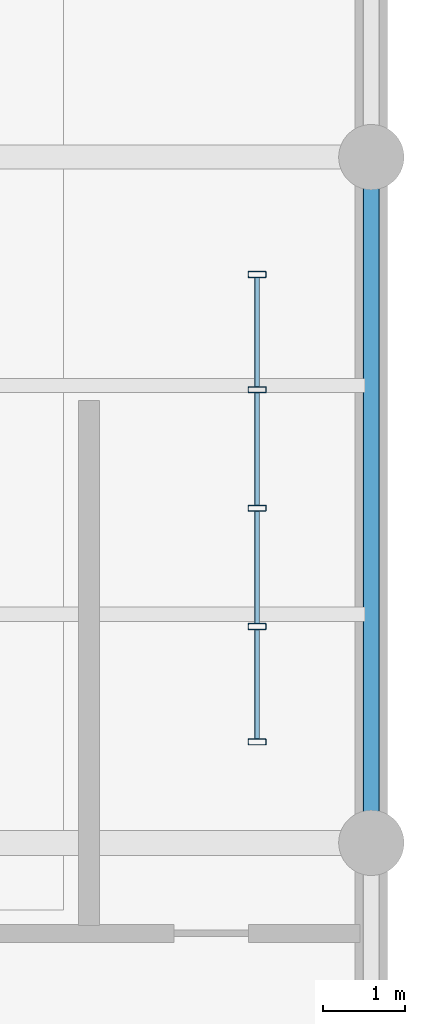
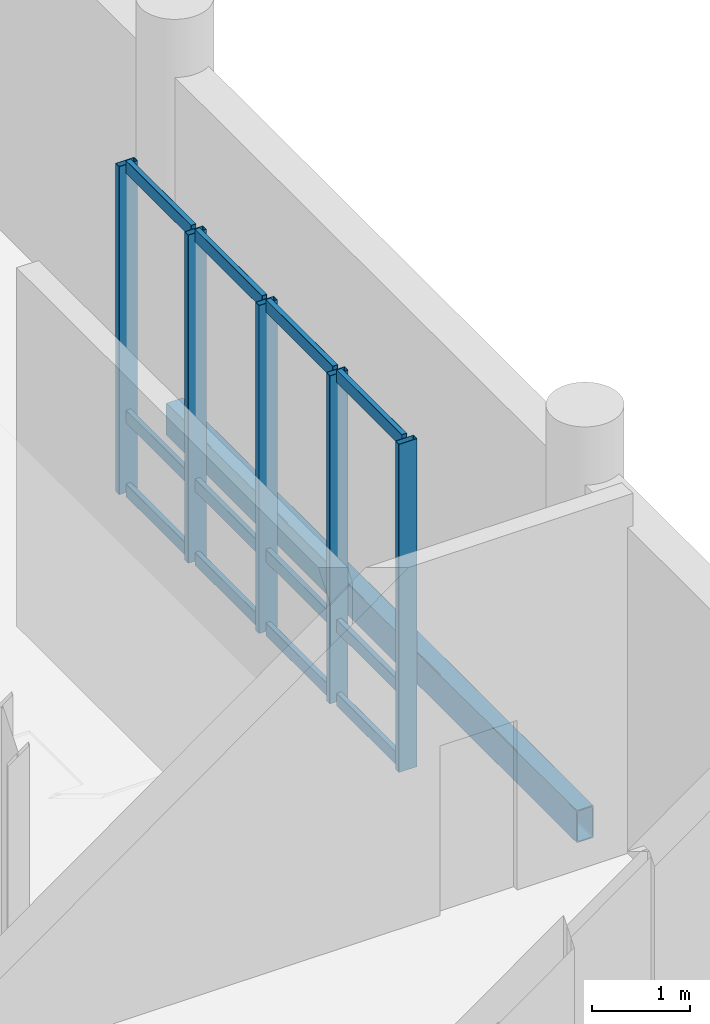
# One storey, part 47 of 94: 17 members, 1 beam, 1 element without a shape of its own.
"""IFC4 building model written with IfcOpenShell, lengths in metres."""

from ifc_helpers import new_model, si_unit, direction, frame, origin_with_axes, origin_2d_with_axis, place, context, subcontext, project, spatial, hollow_rectangle, extrude, material, material_profile, profile_set, type_object, element, aggregate, save


model = new_model("IFC4")

# Units and contexts
model_context = context("Model", 3, precision=1e-05, world=origin_with_axes(), true_north=direction((0.0, 1.0)))
body_context = subcontext(model_context, "Body", "Model", "MODEL_VIEW")
ifc_project = project(units=[si_unit("LENGTHUNIT", "METRE"), si_unit("AREAUNIT", "SQUARE_METRE"), si_unit("VOLUMEUNIT", "CUBIC_METRE"), si_unit("PLANEANGLEUNIT", "RADIAN"), si_unit("MASSUNIT", "GRAM", prefix="KILO"), si_unit("THERMODYNAMICTEMPERATUREUNIT", "KELVIN")], contexts=[model_context])

# Site, building, storey
site_placement = place(None, origin_with_axes())
site = spatial("IfcSite", under=ifc_project, at=site_placement, CompositionType="ELEMENT")
building_placement = place(site_placement, origin_with_axes())
building = spatial("IfcBuilding", under=site, at=building_placement, Name="Montbau Bow Law Courts", CompositionType="ELEMENT")
storey_placement = place(building_placement, frame((0.0, 0.0, 15.6), z_axis=(0.0, 0.0, 1.0), x_axis=(1.0, 0.0, 0.0)))
storey = spatial("IfcBuildingStorey", under=building, at=storey_placement, Name="L03", CompositionType="ELEMENT", Elevation=15.6)

# Beam
ifc_material_1 = material(Name="Steel CSA G40.21 Grade 350WT (350 MPa)", Category="steel")
ifc_material_profile_1 = material_profile(ifc_material_1, hollow_rectangle(XDim=0.203, YDim=0.406, WallThickness=0.0127, InnerFilletRadius=0.0254, OuterFilletRadius=0.0127, at=origin_2d_with_axis()), Name="HSS406X203X13", Category="Main", Priority=0)
ifc_profile_set_1 = profile_set([ifc_material_profile_1], Name="Steel CSA G40.21 Grade 350WT (350 MPa)")
beam_type = type_object("IfcBeamType", Name="B-SPN-01", PredefinedType="SPANDREL", material=ifc_profile_set_1)
beam_placement = place(None, frame((169.4, 30.6, 15.157), z_axis=(0.0, 1.0, 0.0), x_axis=(-1.0, 0.0, 0.0)))
element("IfcBeam", 1, at=beam_placement, inside=storey, type_object=beam_type, Name="SPN-L03-S1706:bm2_1709", PredefinedType="SPANDREL", context=body_context, shape_type="SweptSolid", body=[
    extrude(hollow_rectangle(XDim=0.203, YDim=0.406, WallThickness=0.0127, InnerFilletRadius=0.0254, OuterFilletRadius=0.0127, at=origin_2d_with_axis()), origin_with_axes(), (0.0, 0.0, 1.0), 8.4),
])

# Curtain wall, members
ifc_material_2 = material(Name="Thermally Broken Extruded Aluminium AA 6063-T6", Category="aluminium")
curtain_wall_type = type_object("IfcCurtainWallType", Name="CW-COR-01", PredefinedType="NOTDEFINED", material=ifc_material_2)
curtain_wall_placement = place(None, frame((168.0, 31.8, 15.6), z_axis=(0.0, 0.0, 1.0), x_axis=(1.0, 0.0, 0.0)))
curtain_wall = element("IfcCurtainWall", 2, at=curtain_wall_placement, inside=storey, type_object=curtain_wall_type, Name="CW-L03-414:cw_0414", PredefinedType="NOTDEFINED")
ifc_material_profile_2 = material_profile(ifc_material_2, hollow_rectangle(XDim=0.075, YDim=0.22, WallThickness=0.005, InnerFilletRadius=0.01, OuterFilletRadius=0.005, at=origin_2d_with_axis()), Name="CWM-220X75", Category="Main", Priority=0)
ifc_profile_set_2 = profile_set([ifc_material_profile_2], Name="Thermally Broken Extruded Aluminium AA 6063-T6")
member_type_1 = type_object("IfcMemberType", Name="M-MUL-01", PredefinedType="MULLION", material=ifc_profile_set_2)
member_1_placement = place(None, frame((168.0, 31.837, 15.6), z_axis=(0.0, 0.0, 1.0), x_axis=(0.0, 1.0, 0.0)))
member_1 = element("IfcMember", 3, at=member_1_placement, type_object=member_type_1, Name="CW-L03-414-M01:cw_0414_M01", PredefinedType="MULLION", context=body_context, shape_type="SweptSolid", body=[
    extrude(hollow_rectangle(XDim=0.075, YDim=0.22, WallThickness=0.005, InnerFilletRadius=0.01, OuterFilletRadius=0.005, at=origin_2d_with_axis()), origin_with_axes(), (0.0, 0.0, 1.0), 4.1),
])
member_2_placement = place(None, frame((168.0, 33.25, 15.6), z_axis=(0.0, 0.0, 1.0), x_axis=(0.0, 1.0, 0.0)))
member_2 = element("IfcMember", 4, at=member_2_placement, type_object=member_type_1, Name="CW-L03-414-M02:cw_0414_M02", PredefinedType="MULLION", context=body_context, shape_type="SweptSolid", body=[
    extrude(hollow_rectangle(XDim=0.075, YDim=0.22, WallThickness=0.005, InnerFilletRadius=0.01, OuterFilletRadius=0.005, at=origin_2d_with_axis()), origin_with_axes(), (0.0, 0.0, 1.0), 4.1),
])
member_3_placement = place(None, frame((168.0, 34.7, 15.6), z_axis=(0.0, 0.0, 1.0), x_axis=(0.0, 1.0, 0.0)))
member_3 = element("IfcMember", 5, at=member_3_placement, type_object=member_type_1, Name="CW-L03-414-M03:cw_0414_M03", PredefinedType="MULLION", context=body_context, shape_type="SweptSolid", body=[
    extrude(hollow_rectangle(XDim=0.075, YDim=0.22, WallThickness=0.005, InnerFilletRadius=0.01, OuterFilletRadius=0.005, at=origin_2d_with_axis()), origin_with_axes(), (0.0, 0.0, 1.0), 4.1),
])
member_4_placement = place(None, frame((168.0, 36.15, 15.6), z_axis=(0.0, 0.0, 1.0), x_axis=(0.0, 1.0, 0.0)))
member_4 = element("IfcMember", 6, at=member_4_placement, type_object=member_type_1, Name="CW-L03-414-M04:cw_0414_M04", PredefinedType="MULLION", context=body_context, shape_type="SweptSolid", body=[
    extrude(hollow_rectangle(XDim=0.075, YDim=0.22, WallThickness=0.005, InnerFilletRadius=0.01, OuterFilletRadius=0.005, at=origin_2d_with_axis()), origin_with_axes(), (0.0, 0.0, 1.0), 4.1),
])
member_5_placement = place(None, frame((168.0, 37.563, 15.6), z_axis=(0.0, 0.0, 1.0), x_axis=(0.0, 1.0, 0.0)))
member_5 = element("IfcMember", 7, at=member_5_placement, type_object=member_type_1, Name="CW-L03-414-M05:cw_0414_M05", PredefinedType="MULLION", context=body_context, shape_type="SweptSolid", body=[
    extrude(hollow_rectangle(XDim=0.075, YDim=0.22, WallThickness=0.005, InnerFilletRadius=0.01, OuterFilletRadius=0.005, at=origin_2d_with_axis()), origin_with_axes(), (0.0, 0.0, 1.0), 4.1),
])
ifc_material_profile_3 = material_profile(ifc_material_2, hollow_rectangle(XDim=0.06, YDim=0.16, WallThickness=0.004, InnerFilletRadius=0.008, OuterFilletRadius=0.004, at=origin_2d_with_axis()), Name="CWT-160X60", Category="Main", Priority=0)
ifc_profile_set_3 = profile_set([ifc_material_profile_3], Name="Thermally Broken Extruded Aluminium AA 6063-T6")
member_type_2 = type_object("IfcMemberType", Name="M-TRN-01", PredefinedType="USERDEFINED", material=ifc_profile_set_3)
member_6_placement = place(None, frame((168.0, 31.876, 15.63), z_axis=(0.0, 1.0, 0.0), x_axis=(-1.0, 0.0, 0.0)))
member_6 = element("IfcMember", 8, at=member_6_placement, type_object=member_type_2, Name="CW-L03-414-T01-1:cw_0414_T01_1", ObjectType="TRANSOM", PredefinedType="USERDEFINED", context=body_context, shape_type="SweptSolid", body=[
    extrude(hollow_rectangle(XDim=0.06, YDim=0.16, WallThickness=0.004, InnerFilletRadius=0.008, OuterFilletRadius=0.004, at=origin_2d_with_axis()), origin_with_axes(), (0.0, 0.0, 1.0), 1.334),
])
member_7_placement = place(None, frame((168.0, 31.876, 16.55), z_axis=(0.0, 1.0, 0.0), x_axis=(-1.0, 0.0, 0.0)))
member_7 = element("IfcMember", 9, at=member_7_placement, type_object=member_type_2, Name="CW-L03-414-T01-2:cw_0414_T01_2", ObjectType="TRANSOM", PredefinedType="USERDEFINED", context=body_context, shape_type="SweptSolid", body=[
    extrude(hollow_rectangle(XDim=0.06, YDim=0.16, WallThickness=0.004, InnerFilletRadius=0.008, OuterFilletRadius=0.004, at=origin_2d_with_axis()), origin_with_axes(), (0.0, 0.0, 1.0), 1.334),
])
member_8_placement = place(None, frame((168.0, 31.876, 19.67), z_axis=(0.0, 1.0, 0.0), x_axis=(-1.0, 0.0, 0.0)))
member_8 = element("IfcMember", 10, at=member_8_placement, type_object=member_type_2, Name="CW-L03-414-T01-3:cw_0414_T01_3", ObjectType="TRANSOM", PredefinedType="USERDEFINED", context=body_context, shape_type="SweptSolid", body=[
    extrude(hollow_rectangle(XDim=0.06, YDim=0.16, WallThickness=0.004, InnerFilletRadius=0.008, OuterFilletRadius=0.004, at=origin_2d_with_axis()), origin_with_axes(), (0.0, 0.0, 1.0), 1.334),
])
member_9_placement = place(None, frame((168.0, 33.29, 15.63), z_axis=(0.0, 1.0, 0.0), x_axis=(-1.0, 0.0, 0.0)))
member_9 = element("IfcMember", 11, at=member_9_placement, type_object=member_type_2, Name="CW-L03-414-T02-1:cw_0414_T02_1", ObjectType="TRANSOM", PredefinedType="USERDEFINED", context=body_context, shape_type="SweptSolid", body=[
    extrude(hollow_rectangle(XDim=0.06, YDim=0.16, WallThickness=0.004, InnerFilletRadius=0.008, OuterFilletRadius=0.004, at=origin_2d_with_axis()), origin_with_axes(), (0.0, 0.0, 1.0), 1.371),
])
member_10_placement = place(None, frame((168.0, 33.29, 16.55), z_axis=(0.0, 1.0, 0.0), x_axis=(-1.0, 0.0, 0.0)))
member_10 = element("IfcMember", 12, at=member_10_placement, type_object=member_type_2, Name="CW-L03-414-T02-2:cw_0414_T02_2", ObjectType="TRANSOM", PredefinedType="USERDEFINED", context=body_context, shape_type="SweptSolid", body=[
    extrude(hollow_rectangle(XDim=0.06, YDim=0.16, WallThickness=0.004, InnerFilletRadius=0.008, OuterFilletRadius=0.004, at=origin_2d_with_axis()), origin_with_axes(), (0.0, 0.0, 1.0), 1.371),
])
member_11_placement = place(None, frame((168.0, 33.29, 19.67), z_axis=(0.0, 1.0, 0.0), x_axis=(-1.0, 0.0, 0.0)))
member_11 = element("IfcMember", 13, at=member_11_placement, type_object=member_type_2, Name="CW-L03-414-T02-3:cw_0414_T02_3", ObjectType="TRANSOM", PredefinedType="USERDEFINED", context=body_context, shape_type="SweptSolid", body=[
    extrude(hollow_rectangle(XDim=0.06, YDim=0.16, WallThickness=0.004, InnerFilletRadius=0.008, OuterFilletRadius=0.004, at=origin_2d_with_axis()), origin_with_axes(), (0.0, 0.0, 1.0), 1.371),
])
member_12_placement = place(None, frame((168.0, 34.739, 15.63), z_axis=(0.0, 1.0, 0.0), x_axis=(-1.0, 0.0, 0.0)))
member_12 = element("IfcMember", 14, at=member_12_placement, type_object=member_type_2, Name="CW-L03-414-T03-1:cw_0414_T03_1", ObjectType="TRANSOM", PredefinedType="USERDEFINED", context=body_context, shape_type="SweptSolid", body=[
    extrude(hollow_rectangle(XDim=0.06, YDim=0.16, WallThickness=0.004, InnerFilletRadius=0.008, OuterFilletRadius=0.004, at=origin_2d_with_axis()), origin_with_axes(), (0.0, 0.0, 1.0), 1.372),
])
member_13_placement = place(None, frame((168.0, 34.739, 16.55), z_axis=(0.0, 1.0, 0.0), x_axis=(-1.0, 0.0, 0.0)))
member_13 = element("IfcMember", 15, at=member_13_placement, type_object=member_type_2, Name="CW-L03-414-T03-2:cw_0414_T03_2", ObjectType="TRANSOM", PredefinedType="USERDEFINED", context=body_context, shape_type="SweptSolid", body=[
    extrude(hollow_rectangle(XDim=0.06, YDim=0.16, WallThickness=0.004, InnerFilletRadius=0.008, OuterFilletRadius=0.004, at=origin_2d_with_axis()), origin_with_axes(), (0.0, 0.0, 1.0), 1.372),
])
member_14_placement = place(None, frame((168.0, 34.739, 19.67), z_axis=(0.0, 1.0, 0.0), x_axis=(-1.0, 0.0, 0.0)))
member_14 = element("IfcMember", 16, at=member_14_placement, type_object=member_type_2, Name="CW-L03-414-T03-3:cw_0414_T03_3", ObjectType="TRANSOM", PredefinedType="USERDEFINED", context=body_context, shape_type="SweptSolid", body=[
    extrude(hollow_rectangle(XDim=0.06, YDim=0.16, WallThickness=0.004, InnerFilletRadius=0.008, OuterFilletRadius=0.004, at=origin_2d_with_axis()), origin_with_axes(), (0.0, 0.0, 1.0), 1.372),
])
member_15_placement = place(None, frame((168.0, 36.189, 15.63), z_axis=(0.0, 1.0, 0.0), x_axis=(-1.0, 0.0, 0.0)))
member_15 = element("IfcMember", 17, at=member_15_placement, type_object=member_type_2, Name="CW-L03-414-T04-1:cw_0414_T04_1", ObjectType="TRANSOM", PredefinedType="USERDEFINED", context=body_context, shape_type="SweptSolid", body=[
    extrude(hollow_rectangle(XDim=0.06, YDim=0.16, WallThickness=0.004, InnerFilletRadius=0.008, OuterFilletRadius=0.004, at=origin_2d_with_axis()), origin_with_axes(), (0.0, 0.0, 1.0), 1.335),
])
member_16_placement = place(None, frame((168.0, 36.189, 16.55), z_axis=(0.0, 1.0, 0.0), x_axis=(-1.0, 0.0, 0.0)))
member_16 = element("IfcMember", 18, at=member_16_placement, type_object=member_type_2, Name="CW-L03-414-T04-2:cw_0414_T04_2", ObjectType="TRANSOM", PredefinedType="USERDEFINED", context=body_context, shape_type="SweptSolid", body=[
    extrude(hollow_rectangle(XDim=0.06, YDim=0.16, WallThickness=0.004, InnerFilletRadius=0.008, OuterFilletRadius=0.004, at=origin_2d_with_axis()), origin_with_axes(), (0.0, 0.0, 1.0), 1.335),
])
member_17_placement = place(None, frame((168.0, 36.189, 19.67), z_axis=(0.0, 1.0, 0.0), x_axis=(-1.0, 0.0, 0.0)))
member_17 = element("IfcMember", 19, at=member_17_placement, type_object=member_type_2, Name="CW-L03-414-T04-3:cw_0414_T04_3", ObjectType="TRANSOM", PredefinedType="USERDEFINED", context=body_context, shape_type="SweptSolid", body=[
    extrude(hollow_rectangle(XDim=0.06, YDim=0.16, WallThickness=0.004, InnerFilletRadius=0.008, OuterFilletRadius=0.004, at=origin_2d_with_axis()), origin_with_axes(), (0.0, 0.0, 1.0), 1.335),
])
aggregate(curtain_wall, [member_1, member_2, member_3, member_4, member_5, member_6, member_7, member_8, member_9, member_10, member_11, member_12, member_13, member_14, member_15, member_16, member_17])

save(model, "model.ifc")
